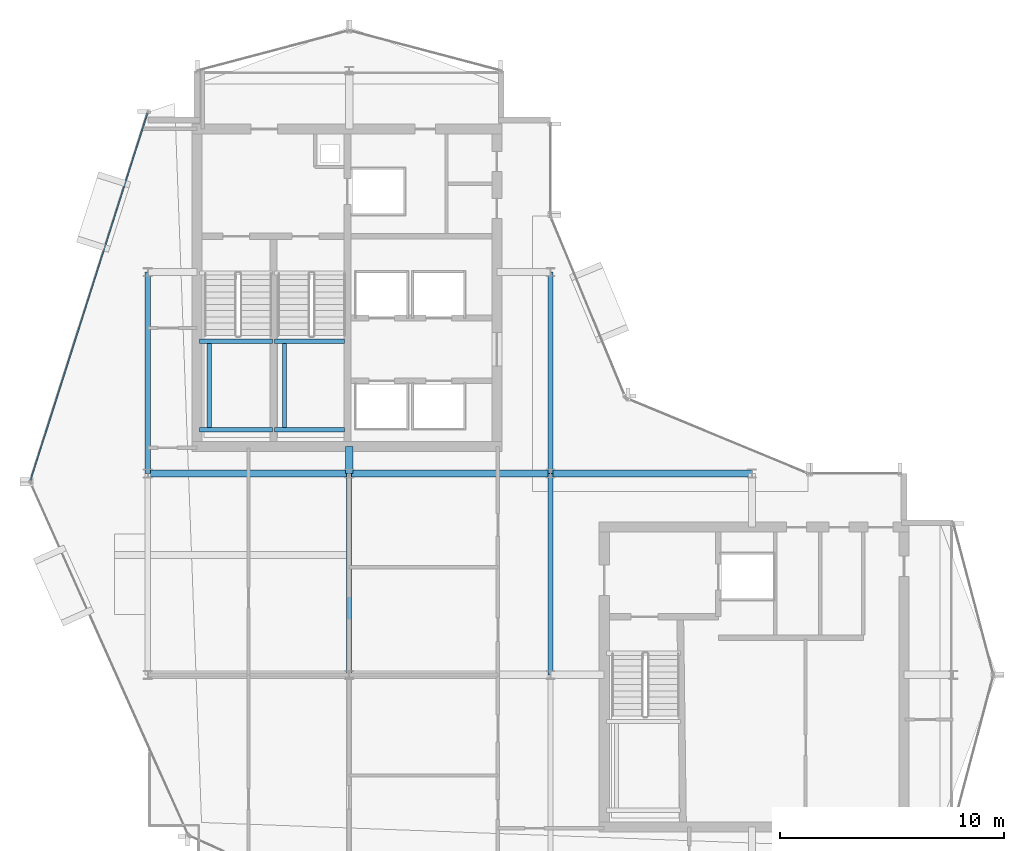
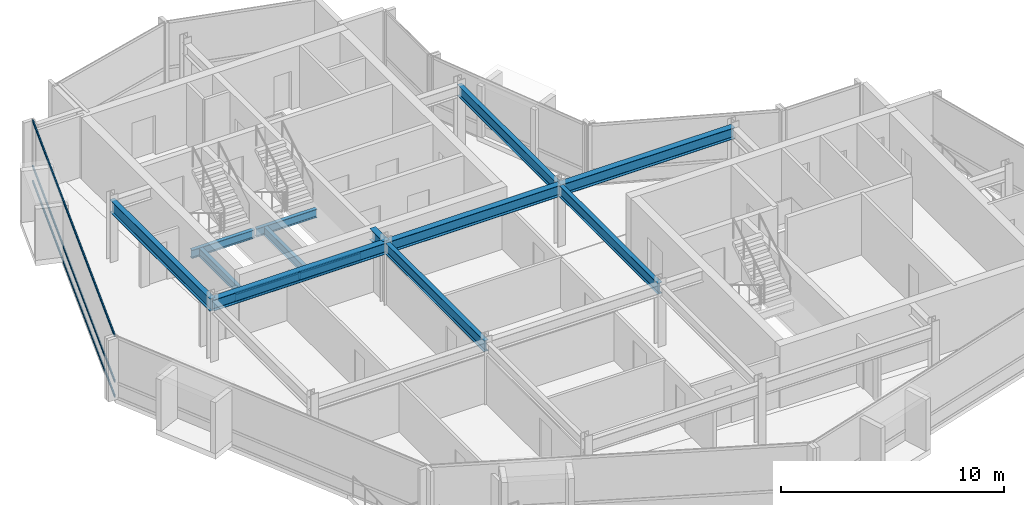
# One storey, part 7 of 19: 14 beams, 3 members, 1 element without a shape of its own.
"""IFC4 building model written with IfcOpenShell, lengths in metres."""

from ifc_helpers import new_model, si_unit, direction, frame, origin, origin_2d, place, context, subcontext, project, spatial, hollow_rectangle, i_section, extrude, material, layer, layer_set, material_profile, profile_set, type_object, element, aggregate, save


model = new_model("IFC4")

# Units and contexts
model_context = context("Model", 3, precision=1e-05, world=origin(), true_north=direction((0.0, 1.0)))
body_context = subcontext(model_context, "Body", "Model", "MODEL_VIEW")
ifc_project = project(units=[si_unit("LENGTHUNIT", "METRE"), si_unit("AREAUNIT", "SQUARE_METRE"), si_unit("VOLUMEUNIT", "CUBIC_METRE"), si_unit("PLANEANGLEUNIT", "RADIAN"), si_unit("MASSUNIT", "GRAM", prefix="KILO")], contexts=[model_context])

# Site, building, storey
site_placement = place(None, origin())
site = spatial("IfcSite", under=ifc_project, at=site_placement, CompositionType="ELEMENT")
building_placement = place(site_placement, origin())
building = spatial("IfcBuilding", under=site, at=building_placement, Name="Solvaryn Broadcast Tower", CompositionType="ELEMENT")
storey_placement = place(building_placement, frame((0.0, 0.0, 281.5)))
storey = spatial("IfcBuildingStorey", under=building, at=storey_placement, Name="L71", CompositionType="ELEMENT", Elevation=281.5)

# Beams
ifc_material_1 = material(Name="Steel ASTM A992 Grade 50", Category="steel")
ifc_material_profile_1 = material_profile(ifc_material_1, i_section(OverallWidth=0.323974609375, OverallDepth=0.611083984375, WebThickness=0.0126953125, FlangeThickness=0.01904296875, FilletRadius=0.014892578125, at=origin_2d()))
ifc_profile_set_1 = profile_set([ifc_material_profile_1], Name="Steel ASTM A992 Grade 50")
beam_type_1 = type_object("IfcBeamType", Name="BM-B1-W24X104", PredefinedType="BEAM", material=ifc_profile_set_1)
for number, where, z_axis, x_axis, name in (
    (1, (9.0, 27.0, 3.064453125), (1.0, 0.0, 0.0), (0.0, 1.0, 0.0), "L71 Primary Beam X (9-18 @ Y=27)"),
    (2, (18.0, 27.0, 3.064453125), (1.0, 0.0, 0.0), (0.0, 1.0, 0.0), "L71 Primary Beam X (18-27 @ Y=27)"),
    (3, (27.0, 27.0, 3.064453125), (1.0, 0.0, 0.0), (0.0, 1.0, 0.0), "L71 Primary Beam X (27-36 @ Y=27)"),
):
    element("IfcBeam", number, at=place(storey_placement, frame(where, z_axis=z_axis, x_axis=x_axis)), inside=storey, type_object=beam_type_1, Name=name, PredefinedType="BEAM", context=body_context, shape_type="SweptSolid", body=[
        extrude(i_section(OverallWidth=0.323974609375, OverallDepth=0.611083984375, WebThickness=0.0126953125, FlangeThickness=0.01904296875, FilletRadius=0.014892578125, at=origin_2d()), origin(), (0.0, 0.0, 1.0), 9.0),
    ])
beam_1_placement = place(storey_placement, frame((18.0, 27.0, 3.064453125), z_axis=(0.0, 1.0, 0.0), x_axis=(-1.0, 0.0, 0.0)))
element("IfcBeam", 4, at=beam_1_placement, inside=storey, type_object=beam_type_1, Name="L71 Core Tie Beam CTW4", PredefinedType="BEAM", context=body_context, shape_type="SweptSolid", body=[
    extrude(i_section(OverallWidth=0.323974609375, OverallDepth=0.611083984375, WebThickness=0.0126953125, FlangeThickness=0.01904296875, FilletRadius=0.014892578125, at=origin_2d()), origin(), (0.0, 0.0, 1.0), 1.199951171875),
])
ifc_material_2 = material(Name="Steel ASTM A992 Grade 50", Category="steel")
ifc_material_profile_2 = material_profile(ifc_material_2, i_section(OverallWidth=0.22802734375, OverallDepth=0.60791015625, WebThickness=0.01123046875, FlangeThickness=0.017333984375, FilletRadius=0.014892578125, at=origin_2d()))
ifc_profile_set_2 = profile_set([ifc_material_profile_2], Name="Steel ASTM A992 Grade 50")
beam_type_2 = type_object("IfcBeamType", Name="BM-B2-W24X76", PredefinedType="BEAM", material=ifc_profile_set_2)
for number, where, z_axis, x_axis, name in (
    (5, (18.0, 18.0, 3.06591796875), (0.0, 1.0, 0.0), (-1.0, 0.0, 0.0), "L71 Primary Beam Y (18-27 @ X=18)"),
    (6, (27.0, 18.0, 3.06591796875), (0.0, 1.0, 0.0), (-1.0, 0.0, 0.0), "L71 Primary Beam Y (18-27 @ X=27)"),
    (7, (27.0, 27.0, 3.06591796875), (0.0, 1.0, 0.0), (-1.0, 0.0, 0.0), "L71 Primary Beam Y (27-36 @ X=27)"),
):
    element("IfcBeam", number, at=place(storey_placement, frame(where, z_axis=z_axis, x_axis=x_axis)), inside=storey, type_object=beam_type_2, Name=name, PredefinedType="BEAM", context=body_context, shape_type="SweptSolid", body=[
        extrude(i_section(OverallWidth=0.22802734375, OverallDepth=0.60791015625, WebThickness=0.01123046875, FlangeThickness=0.017333984375, FilletRadius=0.014892578125, at=origin_2d()), origin(), (0.0, 0.0, 1.0), 9.0),
    ])
ifc_material_3 = material(Name="Steel ASTM A992 Grade 50", Category="steel")
ifc_material_profile_3 = material_profile(ifc_material_3, i_section(OverallWidth=0.18994140625, OverallDepth=0.45703125, WebThickness=0.009033203125, FlangeThickness=0.014404296875, FilletRadius=0.011962890625, at=origin_2d()))
ifc_profile_set_3 = profile_set([ifc_material_profile_3], Name="Steel ASTM A992 Grade 50")
beam_type_3 = type_object("IfcBeamType", Name="BM-B4-W18X50", PredefinedType="BEAM", material=ifc_profile_set_3)
for number, where, z_axis, x_axis, name in (
    (8, (11.300048828125, 28.949951171875, 1.42138671875), (1.0, 0.0, 0.0), (0.0, 1.0, 0.0), "L71 ST1 Landing Support Beam 1A"),
    (9, (11.300048828125, 32.909912109375, 1.42138671875), (1.0, 0.0, 0.0), (0.0, 1.0, 0.0), "L71 ST1 Landing Support Beam 1B"),
):
    element("IfcBeam", number, at=place(storey_placement, frame(where, z_axis=z_axis, x_axis=x_axis)), inside=storey, type_object=beam_type_3, Name=name, PredefinedType="BEAM", context=body_context, shape_type="SweptSolid", body=[
        extrude(i_section(OverallWidth=0.18994140625, OverallDepth=0.45703125, WebThickness=0.009033203125, FlangeThickness=0.014404296875, FilletRadius=0.011962890625, at=origin_2d()), origin(), (0.0, 0.0, 1.0), 3.280029296875),
    ])
beam_2_placement = place(storey_placement, frame((11.75, 28.949951171875, 1.42138671875), z_axis=(0.0, 1.0, 0.0), x_axis=(-1.0, 0.0, 0.0)))
element("IfcBeam", 10, at=beam_2_placement, inside=storey, type_object=beam_type_3, Name="L71 ST1 Landing Cross Stringer 1C", PredefinedType="BEAM", context=body_context, shape_type="SweptSolid", body=[
    extrude(i_section(OverallWidth=0.18994140625, OverallDepth=0.45703125, WebThickness=0.009033203125, FlangeThickness=0.014404296875, FilletRadius=0.011962890625, at=origin_2d()), origin(), (0.0, 0.0, 1.0), 3.9599609375),
])
for number, where, z_axis, x_axis, name in (
    (11, (14.659912109375, 28.949951171875, 1.42138671875), (1.0, 0.0, 0.0), (0.0, 1.0, 0.0), "L71 ST2 Landing Support Beam 1A"),
    (12, (14.659912109375, 32.909912109375, 1.42138671875), (1.0, 0.0, 0.0), (0.0, 1.0, 0.0), "L71 ST2 Landing Support Beam 1B"),
):
    element("IfcBeam", number, at=place(storey_placement, frame(where, z_axis=z_axis, x_axis=x_axis)), inside=storey, type_object=beam_type_3, Name=name, PredefinedType="BEAM", context=body_context, shape_type="SweptSolid", body=[
        extrude(i_section(OverallWidth=0.18994140625, OverallDepth=0.45703125, WebThickness=0.009033203125, FlangeThickness=0.014404296875, FilletRadius=0.011962890625, at=origin_2d()), origin(), (0.0, 0.0, 1.0), 3.14013671875),
    ])
beam_3_placement = place(storey_placement, frame((15.110107421875, 28.949951171875, 1.42138671875), z_axis=(0.0, 1.0, 0.0), x_axis=(-1.0, 0.0, 0.0)))
element("IfcBeam", 13, at=beam_3_placement, inside=storey, type_object=beam_type_3, Name="L71 ST2 Landing Cross Stringer 1C", PredefinedType="BEAM", context=body_context, shape_type="SweptSolid", body=[
    extrude(i_section(OverallWidth=0.18994140625, OverallDepth=0.45703125, WebThickness=0.009033203125, FlangeThickness=0.014404296875, FilletRadius=0.011962890625, at=origin_2d()), origin(), (0.0, 0.0, 1.0), 3.9599609375),
])
ifc_material_4 = material(Name="Steel ASTM A992 Grade 50", Category="steel")
ifc_material_profile_4 = material_profile(ifc_material_4, i_section(OverallWidth=0.256103515625, OverallDepth=0.693115234375, WebThickness=0.014404296875, FlangeThickness=0.023681640625, FilletRadius=0.01611328125, at=origin_2d()))
ifc_profile_set_4 = profile_set([ifc_material_profile_4], Name="Steel ASTM A992 Grade 50")
beam_type_4 = type_object("IfcBeamType", Name="BM-SP3-W27X114", PredefinedType="USERDEFINED", material=ifc_profile_set_4)
beam_4_placement = place(storey_placement, frame((9.0, 27.0, 3.0234375), z_axis=(0.0, 1.0, 0.0), x_axis=(-1.0, 0.0, 0.0)))
element("IfcBeam", 14, at=beam_4_placement, inside=storey, type_object=beam_type_4, Name="L71 Spandrel Beam Y (27-36 @ X=9)", ObjectType="SPANDREL", PredefinedType="USERDEFINED", context=body_context, shape_type="SweptSolid", body=[
    extrude(i_section(OverallWidth=0.256103515625, OverallDepth=0.693115234375, WebThickness=0.014404296875, FlangeThickness=0.023681640625, FilletRadius=0.01611328125, at=origin_2d()), origin(), (0.0, 0.0, 1.0), 9.0),
])

# Curtain wall, members
ifc_material_5 = material(Name="Aluminium and Terracotta Unitised Curtain Wall", Category="masonry")
ifc_layer = layer(ifc_material_5, 0.199951171875)
ifc_layer_set = layer_set([ifc_layer], Name="CW-SYS2-LOWMID")
curtain_wall_type = type_object("IfcCurtainWallType", Name="CW-SYS2-LOWMID", PredefinedType="NOTDEFINED", material=ifc_layer_set)
curtain_wall_placement = place(storey_placement, origin())
curtain_wall = element("IfcCurtainWall", 15, at=curtain_wall_placement, inside=storey, type_object=curtain_wall_type, Name="L71 Curtain Wall DR1", PredefinedType="NOTDEFINED")
ifc_material_6 = material(Name="Anodised Aluminium 6063-T6", Category="aluminium")
ifc_material_profile_5 = material_profile(ifc_material_6, hollow_rectangle(XDim=0.06494140625, YDim=0.14990234375, WallThickness=0.00390625, InnerFilletRadius=0.00390625, OuterFilletRadius=0.008056640625, at=origin_2d()))
ifc_profile_set_5 = profile_set([ifc_material_profile_5], Name="Anodised Aluminium 6063-T6")
member_type = type_object("IfcMemberType", Name="CW-TRN-150", PredefinedType="USERDEFINED", material=ifc_profile_set_5)
member_1_placement = place(storey_placement, frame((8.981689453125, 43.091796875, 0.030029296875), z_axis=(-0.303616405252, -0.952794352661, 0.0), x_axis=(0.952794352661, -0.303616405252, 0.0)))
member_1 = element("IfcMember", 16, at=member_1_placement, type_object=member_type, Name="CWS2 transom 1.1", ObjectType="TRANSOM", PredefinedType="USERDEFINED", context=body_context, shape_type="SweptSolid", body=[
    extrude(hollow_rectangle(XDim=0.06494140625, YDim=0.14990234375, WallThickness=0.00390625, InnerFilletRadius=0.00390625, OuterFilletRadius=0.008056640625, at=origin_2d()), origin(), (0.0, 0.0, 1.0), 17.211181640625),
])
member_2_placement = place(storey_placement, frame((8.981689453125, 43.091796875, 0.85009765625), z_axis=(-0.303616405252, -0.952794352661, 0.0), x_axis=(0.952794352661, -0.303616405252, 0.0)))
member_2 = element("IfcMember", 17, at=member_2_placement, type_object=member_type, Name="CWS2 transom 1.2", ObjectType="TRANSOM", PredefinedType="USERDEFINED", context=body_context, shape_type="SweptSolid", body=[
    extrude(hollow_rectangle(XDim=0.06494140625, YDim=0.14990234375, WallThickness=0.00390625, InnerFilletRadius=0.00390625, OuterFilletRadius=0.008056640625, at=origin_2d()), origin(), (0.0, 0.0, 1.0), 17.211181640625),
])
member_3_placement = place(storey_placement, frame((8.981689453125, 43.091796875, 3.340087890625), z_axis=(-0.303616405252, -0.952794352661, 0.0), x_axis=(0.952794352661, -0.303616405252, 0.0)))
member_3 = element("IfcMember", 18, at=member_3_placement, type_object=member_type, Name="CWS2 transom 1.3", ObjectType="TRANSOM", PredefinedType="USERDEFINED", context=body_context, shape_type="SweptSolid", body=[
    extrude(hollow_rectangle(XDim=0.06494140625, YDim=0.14990234375, WallThickness=0.00390625, InnerFilletRadius=0.00390625, OuterFilletRadius=0.008056640625, at=origin_2d()), origin(), (0.0, 0.0, 1.0), 17.211181640625),
])
aggregate(curtain_wall, [member_1, member_2, member_3])

save(model, "model.ifc")
